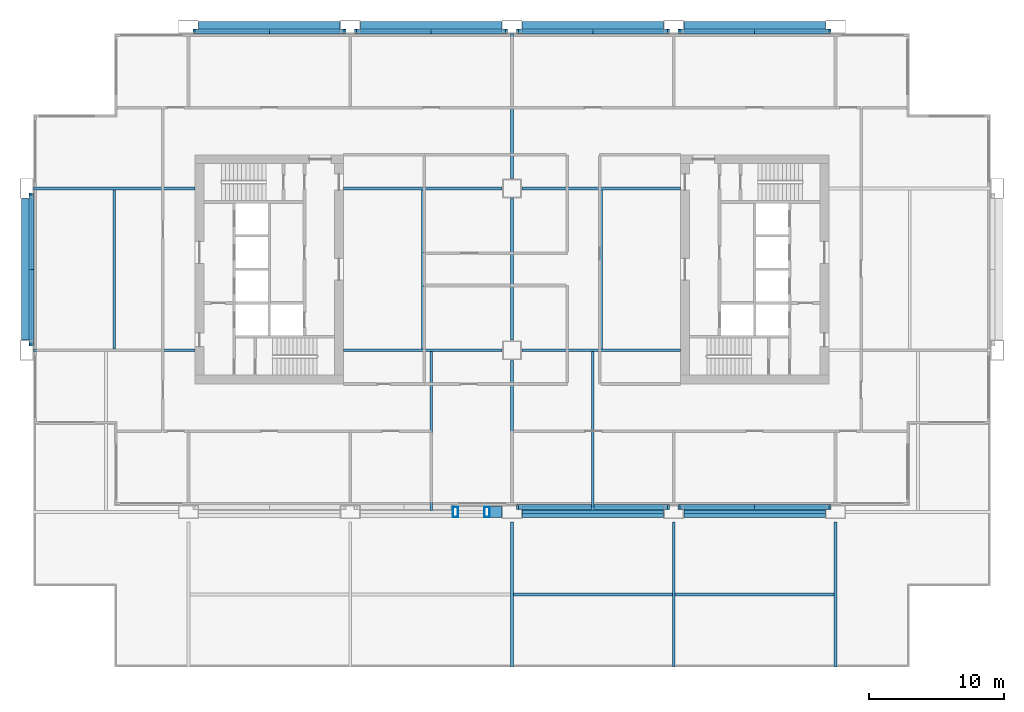
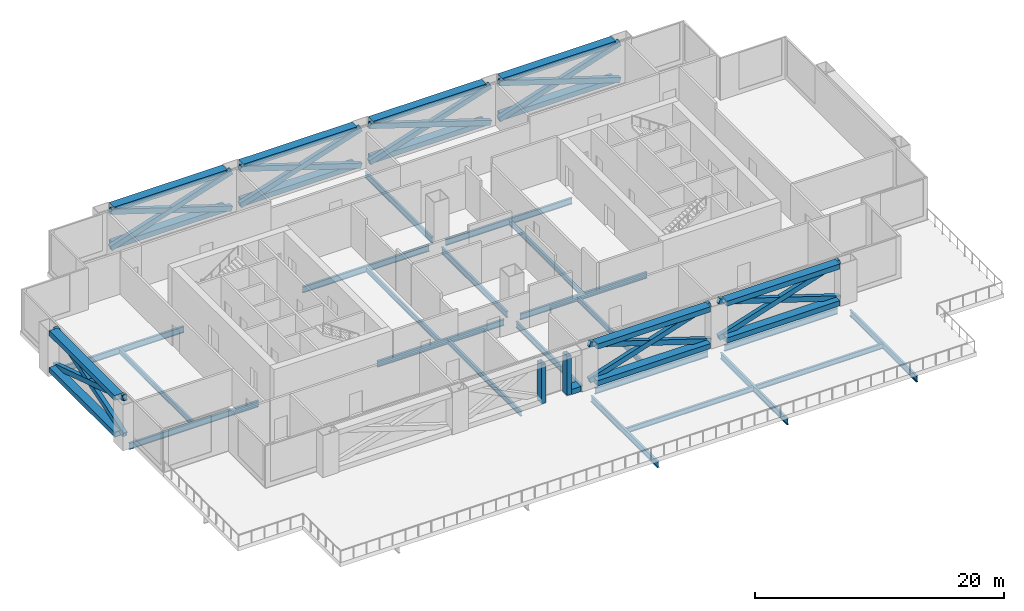
# One storey, part 2 of 8: 36 beams, 16 members.
"""IFC4 building model written with IfcOpenShell, lengths in metres."""

import ifcopenshell
import ifcopenshell.guid

model = None  # the IFC model being written
_history = None  # IfcOwnerHistory: only IFC2X3 demands one
_inside = {}  # id of a spatial element -> (the spatial element, [elements in it])
_under = {}  # id of a project, library or spatial element -> (it, [spatial elements below it])
_declared = {}  # id of a project -> (the project, [libraries it declares])
_typed = {}  # id of a type object -> (the type object, [elements of that type])
_made_of = {}  # id of a material, layer set ... -> (it, [elements and type objects made of it])


def new_model(schema):
    """Start an empty IFC model of exactly this schema.

    Asked for "IFC4X3", IfcOpenShell would pick the latest addendum, in which some entities
    have other attributes; the version numbers below select the first issue.
    IFC2X3 requires an IfcOwnerHistory on every rooted entity: one is made here for all.
    """
    global model, _history
    if schema == "IFC4X3":
        model = ifcopenshell.file(schema_version=(4, 3, 0, 0))
    else:
        model = ifcopenshell.file(schema=schema)
    _inside.clear()
    _under.clear()
    _declared.clear()
    _typed.clear()
    _made_of.clear()
    _history = None
    if model.schema == "IFC2X3":
        org = make("IfcOrganization", Name="unknown")
        user = make(
            "IfcPersonAndOrganization",
            ThePerson=make("IfcPerson", FamilyName="unknown"),
            TheOrganization=org,
        )
        app = make(
            "IfcApplication",
            ApplicationDeveloper=org,
            Version="unknown",
            ApplicationFullName="unknown",
            ApplicationIdentifier="unknown",
        )
        _history = make(
            "IfcOwnerHistory",
            OwningUser=user,
            OwningApplication=app,
            ChangeAction="ADDED",
            CreationDate=0,
        )
    return model


def make(cls, **values):
    """One entity of the class cls with the attributes given. An attribute that is None is left unset."""
    return model.create_entity(
        cls, **{name: value for name, value in values.items() if value is not None}
    )


def rooted(cls, **values):
    """An entity with a GlobalId (a new one), such as an element, a storey or a relation."""
    return make(cls, GlobalId=ifcopenshell.guid.new(), OwnerHistory=_history, **values)


def si_unit(unit_type, name, prefix=None):
    """IfcSIUnit, for example si_unit("LENGTHUNIT", "METRE", prefix="MILLI")."""
    return make("IfcSIUnit", UnitType=unit_type, Prefix=prefix, Name=name)


def assignment(units):
    """IfcUnitAssignment: the units of a project."""
    return None if units is None else make("IfcUnitAssignment", Units=units)


def point(xyz):
    """IfcCartesianPoint."""
    return None if xyz is None else make("IfcCartesianPoint", Coordinates=xyz)


def direction(xyz):
    """IfcDirection."""
    return None if xyz is None else make("IfcDirection", DirectionRatios=xyz)


def frame(location, z_axis=None, x_axis=None):
    """IfcAxis2Placement3D, a coordinate frame: its origin and axes. An axis left out is left unset."""
    return make(
        "IfcAxis2Placement3D",
        Location=point(location),
        Axis=direction(z_axis),
        RefDirection=direction(x_axis),
    )


def frame_2d(location, x_axis=None):
    """IfcAxis2Placement2D, a coordinate frame in the plane: its origin and x axis."""
    return make(
        "IfcAxis2Placement2D", Location=point(location), RefDirection=direction(x_axis)
    )


def origin():
    """The frame at (0, 0, 0) with its axes left unset."""
    return frame((0.0, 0.0, 0.0))


def origin_2d():
    """The frame at (0, 0) in the plane with its x axis left unset."""
    return frame_2d((0.0, 0.0))


def place(relative_to, where):
    """IfcLocalPlacement: puts the frame where relative to a parent placement (None: the world)."""
    return make(
        "IfcLocalPlacement", PlacementRelTo=relative_to, RelativePlacement=where
    )


def context(
    kind, dimensions, precision=None, world=None, true_north=None, identifier=None
):
    """IfcGeometricRepresentationContext, for example the 3D "Model" context."""
    return make(
        "IfcGeometricRepresentationContext",
        ContextIdentifier=identifier,
        ContextType=kind,
        CoordinateSpaceDimension=dimensions,
        Precision=precision,
        WorldCoordinateSystem=world,
        TrueNorth=true_north,
    )


def subcontext(parent, identifier, kind, view, scale=None):
    """IfcGeometricRepresentationSubContext, for example "Body" below "Model"."""
    return make(
        "IfcGeometricRepresentationSubContext",
        ContextIdentifier=identifier,
        ContextType=kind,
        ParentContext=parent,
        TargetScale=scale,
        TargetView=view,
    )


def project(units=None, contexts=None):
    """IfcProject with its units and contexts."""
    return rooted(
        "IfcProject",
        Name="project",
        RepresentationContexts=contexts,
        UnitsInContext=assignment(units),
    )


def spatial(cls, under=None, at=None, **own):
    """A site, building, storey or space (cls), placed at a placement, below another one or the project."""
    s = rooted(cls, ObjectPlacement=at, **own)
    if under is not None:
        _under.setdefault(under.id(), (under, []))[1].append(s)
    return s


def profile(cls, at=None, kind="AREA", **sizes):
    """A parametric profile (cls). Its sizes go by their IFC names, for example OverallWidth=200.0."""
    return make(cls, ProfileType=kind, Position=at, **sizes)


def hollow_rectangle(**sizes):
    """IfcRectangleHollowProfileDef."""
    return profile("IfcRectangleHollowProfileDef", **sizes)


def i_section(**sizes):
    """IfcIShapeProfileDef."""
    return profile("IfcIShapeProfileDef", **sizes)


def extrude(swept, where, along, depth):
    """IfcExtrudedAreaSolid: the profile swept, set in the frame where, extruded along a direction by depth."""
    return make(
        "IfcExtrudedAreaSolid",
        SweptArea=swept,
        Position=where,
        ExtrudedDirection=direction(along),
        Depth=depth,
    )


def shape(context_of_items, identifier, shape_type, items):
    """IfcShapeRepresentation: the items that make up one representation, for example the "Body"."""
    return make(
        "IfcShapeRepresentation",
        ContextOfItems=context_of_items,
        RepresentationIdentifier=identifier,
        RepresentationType=shape_type,
        Items=items,
    )


def material(Name=None, Category=None):
    """IfcMaterial."""
    return make("IfcMaterial", Name=Name, Category=Category)


def material_profile(
    of_material, cross_section, Name=None, Category=None, Priority=None
):
    """IfcMaterialProfile: a cross section and its material."""
    return make(
        "IfcMaterialProfile",
        Name=Name,
        Material=of_material,
        Profile=cross_section,
        Priority=Priority,
        Category=Category,
    )


def profile_set(profiles, Name=None, composite=None):
    """IfcMaterialProfileSet."""
    return make(
        "IfcMaterialProfileSet",
        Name=Name,
        MaterialProfiles=profiles,
        CompositeProfile=composite,
    )


def made_of(thing, what):
    """Note that an element or type object is made of a material, layer set ...; save() writes the relation."""
    if what is not None:
        _made_of.setdefault(what.id(), (what, []))[1].append(thing)
    return thing


def type_object(cls, material=None, **own):
    """A type object (cls), such as IfcWallType, which elements share."""
    return made_of(rooted(cls, **own), material)


def element(
    cls,
    number,
    at=None,
    inside=None,
    cuts=None,
    type_object=None,
    material=None,
    context=None,
    identifier="Body",
    shape_type=None,
    held_by="IfcProductDefinitionShape",
    body=None,
    shapes=None,
    **own,
):
    """One element of the class cls, such as IfcWall. Its Tag is "e" and its number.

    at: its placement. inside: the storey or other place that contains it. cuts: it is an
    opening in that element (IfcRelVoidsElement). A single representation is given by context,
    identifier, shape_type and body (its items); several are given by shapes. held_by: the class
    of the entity that holds the representations. save() writes the other relations.
    """
    e = rooted(cls, Tag="e%d" % number, ObjectPlacement=at, **own)
    if body is not None:
        shapes = [shape(context, identifier, shape_type, body)]
    if shapes is not None:
        e.Representation = make(held_by, Representations=shapes)
    if inside is not None:
        _inside.setdefault(inside.id(), (inside, []))[1].append(e)
    if cuts is not None:
        rooted(
            "IfcRelVoidsElement", RelatingBuildingElement=cuts, RelatedOpeningElement=e
        )
    if type_object is not None:
        _typed.setdefault(type_object.id(), (type_object, []))[1].append(e)
    return made_of(e, material)


def aggregate(whole, parts):
    """IfcRelAggregates: a whole, such as a stair, and the parts it consists of."""
    return rooted("IfcRelAggregates", RelatingObject=whole, RelatedObjects=parts)


def save(model, path):
    """Write the relations noted so far, then the file.

    IfcRelAggregates (storeys below a building ...), IfcRelContainedInSpatialStructure (elements
    in a storey), IfcRelDefinesByType, IfcRelAssociatesMaterial and IfcRelDeclares: one each for
    every whole, place, type object, material and project.
    """
    for whole, parts in _under.values():
        aggregate(whole, parts)
    for where, things in _inside.values():
        rooted(
            "IfcRelContainedInSpatialStructure",
            RelatedElements=things,
            RelatingStructure=where,
        )
    for kind, things in _typed.values():
        rooted("IfcRelDefinesByType", RelatedObjects=things, RelatingType=kind)
    for what, things in _made_of.values():
        rooted("IfcRelAssociatesMaterial", RelatedObjects=things, RelatingMaterial=what)
    for by, libraries in _declared.values():
        rooted("IfcRelDeclares", RelatingContext=by, RelatedDefinitions=libraries)
    model.write(path)


model = new_model("IFC4")

# Units and contexts
model_context = context("Model", 3, precision=1e-05, world=origin(), true_north=direction((0.0, 1.0)))
body_context = subcontext(model_context, "Body", "Model", "MODEL_VIEW")
ifc_project = project(units=[si_unit("LENGTHUNIT", "METRE"), si_unit("AREAUNIT", "SQUARE_METRE"), si_unit("VOLUMEUNIT", "CUBIC_METRE"), si_unit("PLANEANGLEUNIT", "RADIAN"), si_unit("MASSUNIT", "GRAM", prefix="KILO")], contexts=[model_context])

# Site, building, storey
site_placement = place(None, origin())
site = spatial("IfcSite", under=ifc_project, at=site_placement, CompositionType="ELEMENT")
building_placement = place(site_placement, origin())
building = spatial("IfcBuilding", under=site, at=building_placement, Name="Kitamizu Gate Tower and Museum", CompositionType="ELEMENT")
storey_placement = place(building_placement, frame((0.0, 0.0, 92.10009765625)))
storey = spatial("IfcBuildingStorey", under=building, at=storey_placement, Name="L23", CompositionType="ELEMENT", Elevation=92.10009765625)

# Beams
ifc_material_1 = material(Name="Steel SM490A bronze coated", Category="steel")
ifc_material_profile_1 = material_profile(ifc_material_1, hollow_rectangle(XDim=0.800048828125, YDim=0.5, WallThickness=0.0400390625, at=origin_2d()), Name="BOX 800x500x40")
ifc_profile_set_1 = profile_set([ifc_material_profile_1], Name="Steel SM490A bronze coated")
beam_type_1 = type_object("IfcBeamType", Name="Belt truss chord BTC1 BOX 800x500x40", PredefinedType="BEAM", material=ifc_profile_set_1)
beam_1_placement = place(storey_placement, frame((34.35009765625, 12.0, 0.25), z_axis=(1.0, 0.0, 0.0), x_axis=(0.0, 1.0, 0.0)))
element("IfcBeam", 1, at=beam_1_placement, inside=storey, type_object=beam_type_1, Name="Belt truss bottom chord south 24 L23", PredefinedType="BEAM", context=body_context, shape_type="SweptSolid", body=[
    extrude(hollow_rectangle(XDim=0.800048828125, YDim=0.5, WallThickness=0.0400390625, at=origin_2d()), origin(), (0.0, 0.0, 1.0), 0.89990234375),
])
for number, where, z_axis, x_axis, name in (
    (2, (36.75, 12.0, 3.849853515625), (1.0, 0.0, 0.0), (0.0, 1.0, 0.0), "Belt truss top chord south 36 L23"),
    (3, (36.75, 12.0, 0.25), (1.0, 0.0, 0.0), (0.0, 1.0, 0.0), "Belt truss bottom chord south 36 L23"),
    (4, (48.75, 12.0, 3.849853515625), (1.0, 0.0, 0.0), (0.0, 1.0, 0.0), "Belt truss top chord south 48 L23"),
    (5, (48.75, 12.0, 0.25), (1.0, 0.0, 0.0), (0.0, 1.0, 0.0), "Belt truss bottom chord south 48 L23"),
    (6, (12.75, 48.0, 3.849853515625), (1.0, 0.0, 0.0), (0.0, 1.0, 0.0), "Belt truss top chord north 12 L23"),
    (7, (12.75, 48.0, 0.25), (1.0, 0.0, 0.0), (0.0, 1.0, 0.0), "Belt truss bottom chord north 12 L23"),
    (8, (24.75, 48.0, 3.849853515625), (1.0, 0.0, 0.0), (0.0, 1.0, 0.0), "Belt truss top chord north 24 L23"),
    (9, (24.75, 48.0, 0.25), (1.0, 0.0, 0.0), (0.0, 1.0, 0.0), "Belt truss bottom chord north 24 L23"),
    (10, (36.75, 48.0, 3.849853515625), (1.0, 0.0, 0.0), (0.0, 1.0, 0.0), "Belt truss top chord north 36 L23"),
    (11, (36.75, 48.0, 0.25), (1.0, 0.0, 0.0), (0.0, 1.0, 0.0), "Belt truss bottom chord north 36 L23"),
    (12, (48.75, 48.0, 3.849853515625), (1.0, 0.0, 0.0), (0.0, 1.0, 0.0), "Belt truss top chord north 48 L23"),
    (13, (48.75, 48.0, 0.25), (1.0, 0.0, 0.0), (0.0, 1.0, 0.0), "Belt truss bottom chord north 48 L23"),
    (14, (0.0, 24.75, 3.849853515625), (0.0, 1.0, 0.0), (-1.0, 0.0, 0.0), "Belt truss top chord west 24 L23"),
    (15, (0.0, 24.75, 0.25), (0.0, 1.0, 0.0), (-1.0, 0.0, 0.0), "Belt truss bottom chord west 24 L23"),
):
    element("IfcBeam", number, at=place(storey_placement, frame(where, z_axis=z_axis, x_axis=x_axis)), inside=storey, type_object=beam_type_1, Name=name, PredefinedType="BEAM", context=body_context, shape_type="SweptSolid", body=[
        extrude(hollow_rectangle(XDim=0.800048828125, YDim=0.5, WallThickness=0.0400390625, at=origin_2d()), origin(), (0.0, 0.0, 1.0), 10.5),
    ])

# Members
ifc_material_2 = material(Name="Steel SM490A bronze coated", Category="steel")
ifc_material_profile_2 = material_profile(ifc_material_2, hollow_rectangle(XDim=0.3798828125, YDim=0.5, WallThickness=0.028076171875, at=origin_2d()), Name="BOX 380x500x28")
ifc_profile_set_2 = profile_set([ifc_material_profile_2], Name="Steel SM490A bronze coated")
member_type_1 = type_object("IfcMemberType", Name="Belt truss diagonal BTD1 BOX 380x500x28", PredefinedType="BRACE", material=ifc_profile_set_2)
for number, where, z_axis, x_axis, name in (
    (16, (36.39990234375, 12.360107421875, 0.25), (0.952033743233, 0.0, 0.30599305833), (0.0, 1.0, 0.0), "Belt truss diagonal south 36 L23"),
    (17, (47.60009765625, 12.360107421875, 0.25), (-0.952033743233, 0.0, 0.30599305833), (0.0, -1.0, 0.0), "Belt truss diagonal south 36 L23"),
    (18, (48.39990234375, 12.360107421875, 0.25), (0.952033743233, 0.0, 0.30599305833), (0.0, 1.0, 0.0), "Belt truss diagonal south 48 L23"),
    (19, (59.60009765625, 12.360107421875, 0.25), (-0.952033743233, 0.0, 0.30599305833), (0.0, -1.0, 0.0), "Belt truss diagonal south 48 L23"),
    (20, (12.39990234375, 47.639892578125, 0.25), (0.952033743233, 0.0, 0.30599305833), (0.0, 1.0, 0.0), "Belt truss diagonal north 12 L23"),
    (21, (23.60009765625, 47.639892578125, 0.25), (-0.952033743233, 0.0, 0.30599305833), (0.0, -1.0, 0.0), "Belt truss diagonal north 12 L23"),
    (22, (24.39990234375, 47.639892578125, 0.25), (0.952033743233, 0.0, 0.30599305833), (0.0, 1.0, 0.0), "Belt truss diagonal north 24 L23"),
    (23, (35.60009765625, 47.639892578125, 0.25), (-0.952033743233, 0.0, 0.30599305833), (0.0, -1.0, 0.0), "Belt truss diagonal north 24 L23"),
    (24, (36.39990234375, 47.639892578125, 0.25), (0.952033743233, 0.0, 0.30599305833), (0.0, 1.0, 0.0), "Belt truss diagonal north 36 L23"),
    (25, (47.60009765625, 47.639892578125, 0.25), (-0.952033743233, 0.0, 0.30599305833), (0.0, -1.0, 0.0), "Belt truss diagonal north 36 L23"),
    (26, (48.39990234375, 47.639892578125, 0.25), (0.952033743233, 0.0, 0.30599305833), (0.0, 1.0, 0.0), "Belt truss diagonal north 48 L23"),
    (27, (59.60009765625, 47.639892578125, 0.25), (-0.952033743233, 0.0, 0.30599305833), (0.0, -1.0, 0.0), "Belt truss diagonal north 48 L23"),
    (28, (0.360107421875, 24.39990234375, 0.25), (0.0, 0.952033743233, 0.30599305833), (-1.0, 0.0, 0.0), "Belt truss diagonal west 24 L23"),
    (29, (0.360107421875, 35.60009765625, 0.25), (0.0, -0.952033743233, 0.30599305833), (1.0, 0.0, 0.0), "Belt truss diagonal west 24 L23"),
):
    element("IfcMember", number, at=place(storey_placement, frame(where, z_axis=z_axis, x_axis=x_axis)), inside=storey, type_object=member_type_1, Name=name, PredefinedType="BRACE", context=body_context, shape_type="SweptSolid", body=[
        extrude(hollow_rectangle(XDim=0.3798828125, YDim=0.5, WallThickness=0.028076171875, at=origin_2d()), origin(), (0.0, 0.0, 1.0), 11.764404296875),
    ])
ifc_material_3 = material(Name="Steel SM490A bronze coated", Category="steel")
ifc_material_profile_3 = material_profile(ifc_material_3, hollow_rectangle(XDim=0.39990234375, YDim=0.760009765625, WallThickness=0.02490234375, at=origin_2d()), Name="BOX 400x760x25")
ifc_profile_set_3 = profile_set([ifc_material_profile_3], Name="Steel SM490A bronze coated")
member_type_2 = type_object("IfcMemberType", Name="Belt truss jamb post BTP1 BOX 400x760x25", PredefinedType="POST", material=ifc_profile_set_3)
for number, where, z_axis, x_axis, name in (
    (30, (31.800048828125, 12.0, 0.031982421875), (0.0, 0.0, 1.0), (1.0, 0.0, 0.0), "Belt truss jamb post south 24 L23"),
    (31, (34.14990234375, 12.0, 0.031982421875), (0.0, 0.0, 1.0), (1.0, 0.0, 0.0), "Belt truss jamb post south 24 L23"),
):
    element("IfcMember", number, at=place(storey_placement, frame(where, z_axis=z_axis, x_axis=x_axis)), inside=storey, type_object=member_type_2, Name=name, PredefinedType="POST", context=body_context, shape_type="SweptSolid", body=[
        extrude(hollow_rectangle(XDim=0.39990234375, YDim=0.760009765625, WallThickness=0.02490234375, at=origin_2d()), origin(), (0.0, 0.0, 1.0), 3.81787109375),
    ])

# Beams
ifc_material_4 = material(Name="Steel SM490A", Category="steel")
ifc_material_profile_4 = material_profile(ifc_material_4, i_section(OverallWidth=0.199951171875, OverallDepth=0.5, WebThickness=0.010009765625, FlangeThickness=0.01611328125, FilletRadius=0.02001953125, at=origin_2d()), Name="H-500x200x10x16")
ifc_profile_set_4 = profile_set([ifc_material_profile_4], Name="Steel SM490A")
beam_type_2 = type_object("IfcBeamType", Name="Floor beam FB1 H 500x200x10x16", PredefinedType="BEAM", material=ifc_profile_set_4)
for number, where, z_axis, x_axis, name in (
    (32, (36.10009765625, 5.875, -0.650146484375), (1.0, 0.0, 0.0), (0.0, 1.0, 0.0), "Floor beam FB1 L23-3"),
    (33, (48.10009765625, 5.875, -0.650146484375), (1.0, 0.0, 0.0), (0.0, 1.0, 0.0), "Floor beam FB1 L23-4"),
    (34, (30.0, 12.10009765625, -0.650146484375), (0.0, 1.0, 0.0), (-1.0, 0.0, 0.0), "Floor beam FB1 L23-6"),
    (35, (42.0, 12.10009765625, -0.650146484375), (0.0, 1.0, 0.0), (-1.0, 0.0, 0.0), "Floor beam FB1 L23-7"),
    (36, (6.5, 24.10009765625, -0.650146484375), (0.0, 1.0, 0.0), (-1.0, 0.0, 0.0), "Floor beam FB1 L23-9"),
    (37, (29.375, 24.10009765625, -0.650146484375), (0.0, 1.0, 0.0), (-1.0, 0.0, 0.0), "Floor beam FB1 L23-10"),
    (38, (42.625, 24.10009765625, -0.650146484375), (0.0, 1.0, 0.0), (-1.0, 0.0, 0.0), "Floor beam FB1 L23-11"),
):
    element("IfcBeam", number, at=place(storey_placement, frame(where, z_axis=z_axis, x_axis=x_axis)), inside=storey, type_object=beam_type_2, Name=name, PredefinedType="BEAM", context=body_context, shape_type="SweptSolid", body=[
        extrude(i_section(OverallWidth=0.199951171875, OverallDepth=0.5, WebThickness=0.010009765625, FlangeThickness=0.01611328125, FilletRadius=0.02001953125, at=origin_2d()), origin(), (0.0, 0.0, 1.0), 11.7998046875),
    ])
ifc_material_5 = material(Name="Steel SM490A", Category="steel")
ifc_material_profile_5 = material_profile(ifc_material_5, i_section(OverallWidth=0.199951171875, OverallDepth=0.60009765625, WebThickness=0.010986328125, FlangeThickness=0.01708984375, FilletRadius=0.02197265625, at=origin_2d()), Name="H-600x200x11x17")
ifc_profile_set_5 = profile_set([ifc_material_profile_5], Name="Steel SM490A")
beam_type_3 = type_object("IfcBeamType", Name="Floor girder FG1 H 600x200x11x17", PredefinedType="BEAM", material=ifc_profile_set_5)
beam_2_placement = place(storey_placement, frame((36.0, 0.5, -0.7001953125), z_axis=(0.0, 1.0, 0.0), x_axis=(-1.0, 0.0, 0.0)))
element("IfcBeam", 39, at=beam_2_placement, inside=storey, type_object=beam_type_3, Name="Floor girder FG1 x36 L23", PredefinedType="BEAM", context=body_context, shape_type="SweptSolid", body=[
    extrude(i_section(OverallWidth=0.199951171875, OverallDepth=0.60009765625, WebThickness=0.010986328125, FlangeThickness=0.01708984375, FilletRadius=0.02197265625, at=origin_2d()), origin(), (0.0, 0.0, 1.0), 10.75),
])
for number, where, z_axis, x_axis, name in (
    (40, (36.0, 12.75, -0.7001953125), (0.0, 1.0, 0.0), (-1.0, 0.0, 0.0), "Floor girder FG1 x36 L23"),
    (41, (36.0, 24.75, -0.7001953125), (0.0, 1.0, 0.0), (-1.0, 0.0, 0.0), "Floor girder FG1 x36 L23"),
):
    element("IfcBeam", number, at=place(storey_placement, frame(where, z_axis=z_axis, x_axis=x_axis)), inside=storey, type_object=beam_type_3, Name=name, PredefinedType="BEAM", context=body_context, shape_type="SweptSolid", body=[
        extrude(i_section(OverallWidth=0.199951171875, OverallDepth=0.60009765625, WebThickness=0.010986328125, FlangeThickness=0.01708984375, FilletRadius=0.02197265625, at=origin_2d()), origin(), (0.0, 0.0, 1.0), 10.5),
    ])
for number, where, z_axis, x_axis, name in (
    (42, (36.0, 36.75, -0.7001953125), (0.0, 1.0, 0.0), (-1.0, 0.0, 0.0), "Floor girder FG1 x36 L23"),
    (43, (48.0, 0.5, -0.7001953125), (0.0, 1.0, 0.0), (-1.0, 0.0, 0.0), "Floor girder FG1 x48 L23"),
    (44, (60.0, 0.5, -0.7001953125), (0.0, 1.0, 0.0), (-1.0, 0.0, 0.0), "Floor girder FG1 x60 L23"),
):
    element("IfcBeam", number, at=place(storey_placement, frame(where, z_axis=z_axis, x_axis=x_axis)), inside=storey, type_object=beam_type_3, Name=name, PredefinedType="BEAM", context=body_context, shape_type="SweptSolid", body=[
        extrude(i_section(OverallWidth=0.199951171875, OverallDepth=0.60009765625, WebThickness=0.010986328125, FlangeThickness=0.01708984375, FilletRadius=0.02197265625, at=origin_2d()), origin(), (0.0, 0.0, 1.0), 10.75),
    ])
for number, where, z_axis, x_axis, name in (
    (45, (36.75, 12.0, -0.7001953125), (1.0, 0.0, 0.0), (0.0, 1.0, 0.0), "Floor girder FG1 y12 L23"),
    (46, (48.75, 12.0, -0.7001953125), (1.0, 0.0, 0.0), (0.0, 1.0, 0.0), "Floor girder FG1 y12 L23"),
):
    element("IfcBeam", number, at=place(storey_placement, frame(where, z_axis=z_axis, x_axis=x_axis)), inside=storey, type_object=beam_type_3, Name=name, PredefinedType="BEAM", context=body_context, shape_type="SweptSolid", body=[
        extrude(i_section(OverallWidth=0.199951171875, OverallDepth=0.60009765625, WebThickness=0.010986328125, FlangeThickness=0.01708984375, FilletRadius=0.02197265625, at=origin_2d()), origin(), (0.0, 0.0, 1.0), 10.5),
    ])
beam_3_placement = place(storey_placement, frame((0.5, 24.0, -0.7001953125), z_axis=(1.0, 0.0, 0.0), x_axis=(0.0, 1.0, 0.0)))
element("IfcBeam", 47, at=beam_3_placement, inside=storey, type_object=beam_type_3, Name="Floor girder FG1 y24 L23", PredefinedType="BEAM", context=body_context, shape_type="SweptSolid", body=[
    extrude(i_section(OverallWidth=0.199951171875, OverallDepth=0.60009765625, WebThickness=0.010986328125, FlangeThickness=0.01708984375, FilletRadius=0.02197265625, at=origin_2d()), origin(), (0.0, 0.0, 1.0), 12.0),
])
for number, where, z_axis, x_axis, name in (
    (48, (23.5, 24.0, -0.7001953125), (1.0, 0.0, 0.0), (0.0, 1.0, 0.0), "Floor girder FG1 y24 L23"),
    (49, (36.75, 24.0, -0.7001953125), (1.0, 0.0, 0.0), (0.0, 1.0, 0.0), "Floor girder FG1 y24 L23"),
):
    element("IfcBeam", number, at=place(storey_placement, frame(where, z_axis=z_axis, x_axis=x_axis)), inside=storey, type_object=beam_type_3, Name=name, PredefinedType="BEAM", context=body_context, shape_type="SweptSolid", body=[
        extrude(i_section(OverallWidth=0.199951171875, OverallDepth=0.60009765625, WebThickness=0.010986328125, FlangeThickness=0.01708984375, FilletRadius=0.02197265625, at=origin_2d()), origin(), (0.0, 0.0, 1.0), 11.75),
    ])
beam_4_placement = place(storey_placement, frame((0.5, 36.0, -0.7001953125), z_axis=(1.0, 0.0, 0.0), x_axis=(0.0, 1.0, 0.0)))
element("IfcBeam", 50, at=beam_4_placement, inside=storey, type_object=beam_type_3, Name="Floor girder FG1 y36 L23", PredefinedType="BEAM", context=body_context, shape_type="SweptSolid", body=[
    extrude(i_section(OverallWidth=0.199951171875, OverallDepth=0.60009765625, WebThickness=0.010986328125, FlangeThickness=0.01708984375, FilletRadius=0.02197265625, at=origin_2d()), origin(), (0.0, 0.0, 1.0), 12.0),
])
for number, where, z_axis, x_axis, name in (
    (51, (23.5, 36.0, -0.7001953125), (1.0, 0.0, 0.0), (0.0, 1.0, 0.0), "Floor girder FG1 y36 L23"),
    (52, (36.75, 36.0, -0.7001953125), (1.0, 0.0, 0.0), (0.0, 1.0, 0.0), "Floor girder FG1 y36 L23"),
):
    element("IfcBeam", number, at=place(storey_placement, frame(where, z_axis=z_axis, x_axis=x_axis)), inside=storey, type_object=beam_type_3, Name=name, PredefinedType="BEAM", context=body_context, shape_type="SweptSolid", body=[
        extrude(i_section(OverallWidth=0.199951171875, OverallDepth=0.60009765625, WebThickness=0.010986328125, FlangeThickness=0.01708984375, FilletRadius=0.02197265625, at=origin_2d()), origin(), (0.0, 0.0, 1.0), 11.75),
    ])

save(model, "model.ifc")
